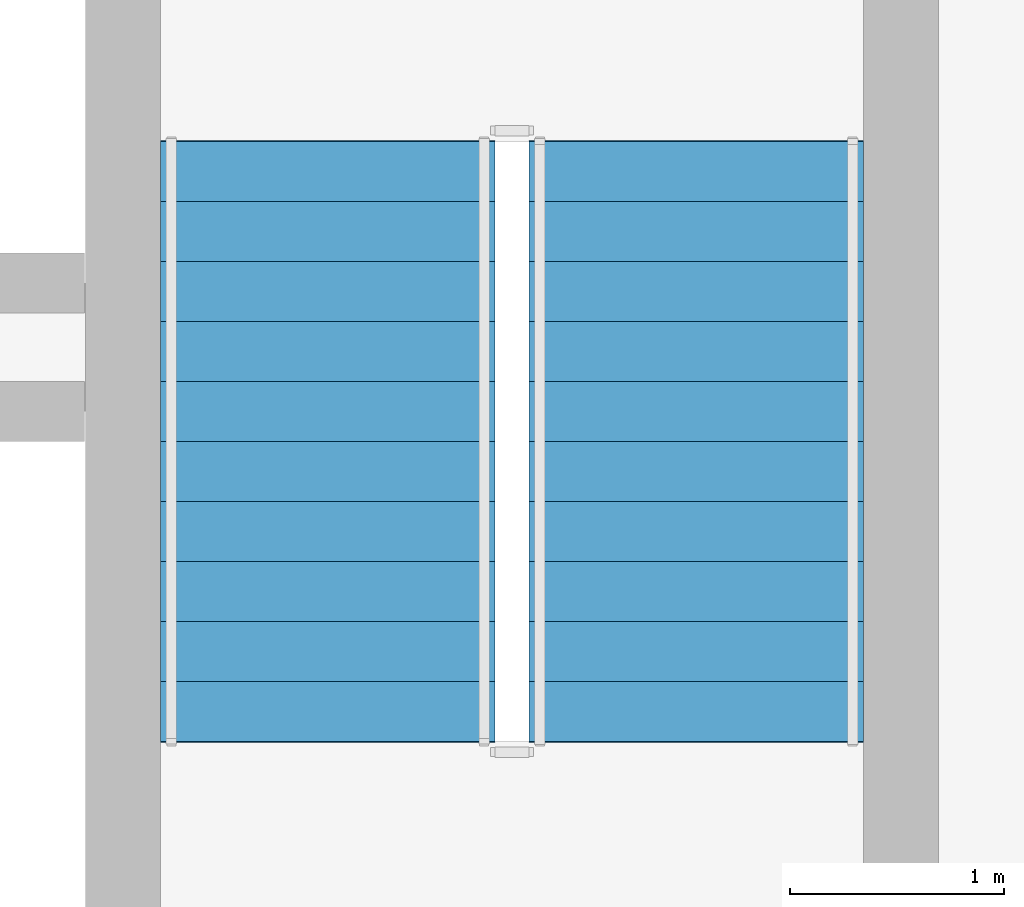
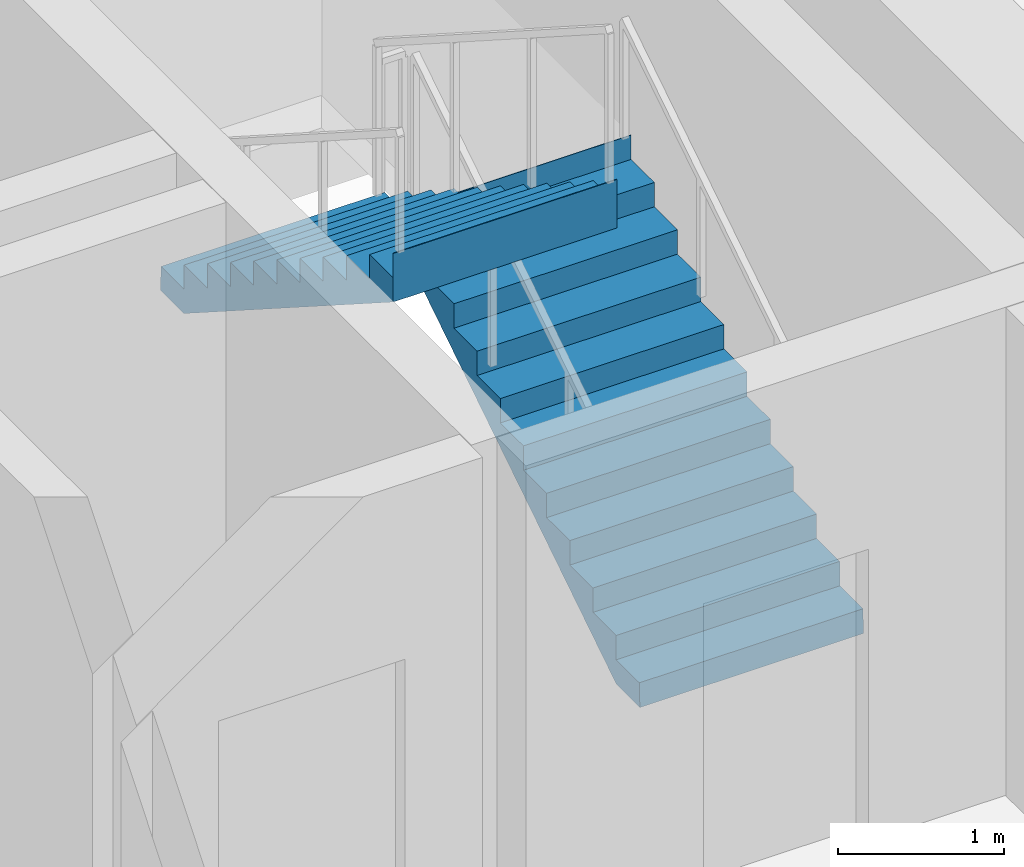
# One storey, part 8 of 11: 2 stair flights, 1 element without a shape of its own.
"""IFC4 building model written with IfcOpenShell, lengths in metres."""

from ifc_helpers import new_model, si_unit, direction, frame, origin, place, context, subcontext, project, spatial, polyline, outline, extrude, material, type_object, element, aggregate, save


model = new_model("IFC4")

# Units and contexts
model_context = context("Model", 3, precision=1e-05, world=origin(), true_north=direction((0.0, 1.0)))
body_context = subcontext(model_context, "Body", "Model", "MODEL_VIEW")
ifc_project = project(units=[si_unit("LENGTHUNIT", "METRE"), si_unit("AREAUNIT", "SQUARE_METRE"), si_unit("VOLUMEUNIT", "CUBIC_METRE"), si_unit("PLANEANGLEUNIT", "RADIAN"), si_unit("MASSUNIT", "GRAM", prefix="KILO")], contexts=[model_context])

# Site, building, storey
site_placement = place(None, origin())
site = spatial("IfcSite", under=ifc_project, at=site_placement, CompositionType="ELEMENT")
building_placement = place(site_placement, origin())
building = spatial("IfcBuilding", under=site, at=building_placement, Name="Kaelvorn Grand Hotel", CompositionType="ELEMENT")
storey_placement = place(building_placement, frame((0.0, 0.0, 276.550048828125)))
storey = spatial("IfcBuildingStorey", under=building, at=storey_placement, Name="L68", CompositionType="ELEMENT", Elevation=276.550048828125)

# Stair, stair flights
ifc_material = material(Name="Concrete C40/50", Category="concrete")
stair_type = type_object("IfcStairType", Name="STR-DOG-1560-R09", PredefinedType="HALF_TURN_STAIR", material=ifc_material)
stair_placement = place(storey_placement, origin())
stair = element("IfcStair", 1, at=stair_placement, inside=storey, type_object=stair_type, Name="L68 East Core Exit Stair ST3", PredefinedType="HALF_TURN_STAIR")
stair_flight_type = type_object("IfcStairFlightType", Name="FLG-DOG-1560-R09", PredefinedType="STRAIGHT", material=ifc_material)
stair_flight_1_placement = place(storey_placement, frame((65.820068359375, 41.760009765625, 0.0), z_axis=(0.0, 0.0, 1.0), x_axis=(0.0, 1.0, 0.0)))
stair_flight_1 = element("IfcStairFlight", 2, at=stair_flight_1_placement, type_object=stair_flight_type, Name="ST3 flight 1", NumberOfRisers=11, NumberOfTreads=10, PredefinedType="STRAIGHT", RiserHeight=0.179545455, TreadLength=0.28, context=body_context, shape_type="SweptSolid", body=[
    extrude(outline(polyline([(-0.0048828125, 0.0), (-0.0048828125, 0.0400390625), (0.0, 0.179443359375), (0.280029296875, 0.179443359375), (0.280029296875, 0.359130859375), (0.56005859375, 0.359130859375), (0.56005859375, 0.53857421875), (0.840087890625, 0.53857421875), (0.840087890625, 0.71826171875), (1.1201171875, 0.71826171875), (1.1201171875, 0.897705078125), (1.39990234375, 0.897705078125), (1.39990234375, 1.077392578125), (1.679931640625, 1.077392578125), (1.679931640625, 1.2568359375), (1.9599609375, 1.2568359375), (1.9599609375, 1.436279296875), (2.239990234375, 1.436279296875), (2.239990234375, 1.615966796875), (2.52001953125, 1.615966796875), (2.52001953125, 1.79541015625), (2.800048828125, 1.79541015625), (2.800048828125, 1.97509765625), (2.804931640625, 1.97509765625), (2.804931640625, 1.617431640625), (0.277587890625, 0.0), (-0.0048828125, 0.0)])), frame((0.0, 0.780029296875, 0.0), z_axis=(0.0, -1.0, 0.0), x_axis=(1.0, 0.0, 0.0)), (0.0, 0.0, 1.0), 1.56005859375),
])
stair_flight_2_placement = place(storey_placement, frame((64.10009765625, 44.56005859375, 1.974853515625), z_axis=(0.0, 0.0, 1.0), x_axis=(0.0, -1.0, 0.0)))
stair_flight_2 = element("IfcStairFlight", 3, at=stair_flight_2_placement, type_object=stair_flight_type, Name="ST3 flight 2", NumberOfRisers=11, NumberOfTreads=10, PredefinedType="STRAIGHT", RiserHeight=0.179545455, TreadLength=0.28, context=body_context, shape_type="SweptSolid", body=[
    extrude(outline(polyline([(-0.0048828125, 0.0), (-0.0048828125, 0.0400390625), (0.0, 0.179443359375), (0.280029296875, 0.179443359375), (0.280029296875, 0.359130859375), (0.56005859375, 0.359130859375), (0.56005859375, 0.53857421875), (0.840087890625, 0.53857421875), (0.840087890625, 0.71826171875), (1.1201171875, 0.71826171875), (1.1201171875, 0.897705078125), (1.39990234375, 0.897705078125), (1.39990234375, 1.077392578125), (1.679931640625, 1.077392578125), (1.679931640625, 1.2568359375), (1.9599609375, 1.2568359375), (1.9599609375, 1.436279296875), (2.239990234375, 1.436279296875), (2.239990234375, 1.615966796875), (2.52001953125, 1.615966796875), (2.52001953125, 1.79541015625), (2.800048828125, 1.79541015625), (2.800048828125, 1.97509765625), (2.804931640625, 1.97509765625), (2.804931640625, 1.617431640625), (0.277587890625, 0.0), (-0.0048828125, 0.0)])), frame((0.0, 0.780029296875, 0.0), z_axis=(0.0, -1.0, 0.0), x_axis=(1.0, 0.0, 0.0)), (0.0, 0.0, 1.0), 1.56005859375),
])
aggregate(stair, [stair_flight_1, stair_flight_2])

save(model, "model.ifc")
